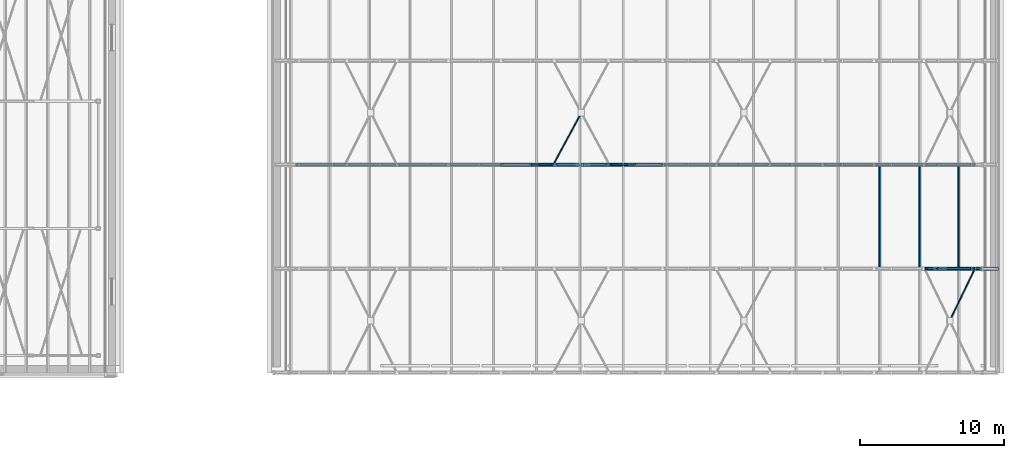
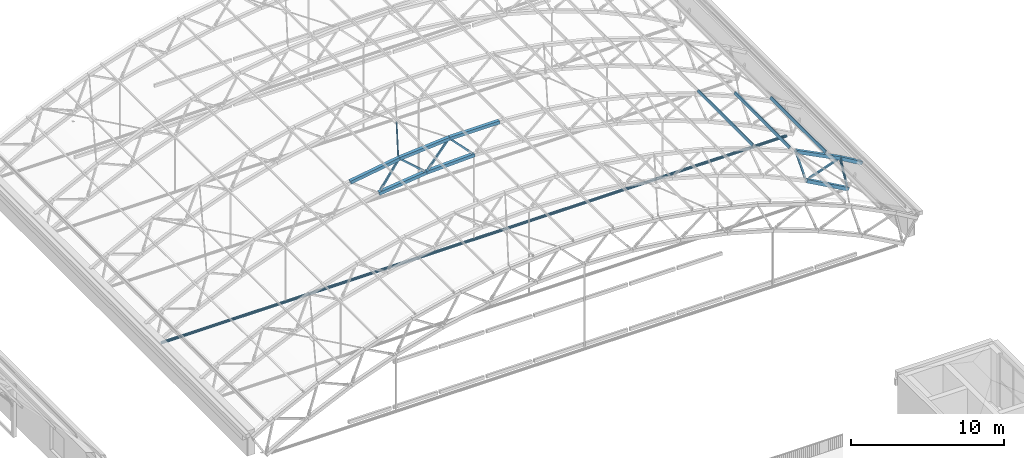
# One storey, part 54 of 127: 21 members.
"""IFC4 building model written with IfcOpenShell, lengths in metres."""

from ifc_helpers import new_model, si_unit, direction, frame, origin, origin_2d, place, context, subcontext, project, spatial, hollow_rectangle, hollow_circle, extrude, material, material_profile, profile_set, type_object, element, save


model = new_model("IFC4")

# Units and contexts
model_context = context("Model", 3, precision=1e-05, world=origin(), true_north=direction((0.0, 1.0)))
body_context = subcontext(model_context, "Body", "Model", "MODEL_VIEW")
ifc_project = project(units=[si_unit("LENGTHUNIT", "METRE"), si_unit("AREAUNIT", "SQUARE_METRE"), si_unit("VOLUMEUNIT", "CUBIC_METRE"), si_unit("PLANEANGLEUNIT", "RADIAN"), si_unit("MASSUNIT", "GRAM", prefix="KILO")], contexts=[model_context])

# Site, building, storey
site_placement = place(None, origin())
site = spatial("IfcSite", under=ifc_project, at=site_placement, CompositionType="ELEMENT")
building_placement = place(site_placement, origin())
building = spatial("IfcBuilding", under=site, at=building_placement, Name="Verrick Yard Athletic Hall", CompositionType="ELEMENT")
storey_placement = place(building_placement, frame((0.0, 0.0, 14.0)))
storey = spatial("IfcBuildingStorey", under=building, at=storey_placement, Name="L03", CompositionType="ELEMENT", Elevation=14.0)

# Members
ifc_material = material(Name="Structural steel HSS Class C 350W (CSA G40.20/G40.21)", Category="steel")
ifc_material_profile_1 = material_profile(ifc_material, hollow_rectangle(XDim=0.25390625, YDim=0.25390625, WallThickness=0.009521484375, at=origin_2d()), Name="HSS254x254x9.5")
ifc_profile_set_1 = profile_set([ifc_material_profile_1], Name="Structural steel HSS Class C 350W (CSA G40.20/G40.21)")
member_type_1 = type_object("IfcMemberType", Name="HB bottom chord HSS254x254x9.5", PredefinedType="CHORD", material=ifc_profile_set_1)
member_1_placement = place(storey_placement, frame((166.45654296875, 79.199951171875, 1.757080078125), z_axis=(0.872897627776, 0.0, -0.487903403783), x_axis=(0.0, 1.0, 0.0)))
element("IfcMember", 1, at=member_1_placement, inside=storey, type_object=member_type_1, Name="Truss TA2 bottom chord 14", PredefinedType="CHORD", context=body_context, shape_type="SweptSolid", body=[
    extrude(hollow_rectangle(XDim=0.25390625, YDim=0.25390625, WallThickness=0.009521484375, at=origin_2d()), origin(), (0.0, 0.0, 1.0), 3.601318359375),
])
member_2_placement = place(storey_placement, frame((138.42041015625, 86.39990234375, 6.193359375), z_axis=(0.993094882284, 0.0, 0.117313915545), x_axis=(0.0, 1.0, 0.0)))
element("IfcMember", 2, at=member_2_placement, inside=storey, type_object=member_type_1, Name="Truss TA3 bottom chord 6", PredefinedType="CHORD", context=body_context, shape_type="SweptSolid", body=[
    extrude(hollow_rectangle(XDim=0.25390625, YDim=0.25390625, WallThickness=0.009521484375, at=origin_2d()), origin(), (0.0, 0.0, 1.0), 3.59619140625),
])
member_3_placement = place(storey_placement, frame((142.001708984375, 86.39990234375, 6.615966796875), z_axis=(0.999229759959, 0.0, 0.039241391579), x_axis=(0.0, 1.0, 0.0)))
element("IfcMember", 3, at=member_3_placement, inside=storey, type_object=member_type_1, Name="Truss TA3 bottom chord 7", PredefinedType="CHORD", context=body_context, shape_type="SweptSolid", body=[
    extrude(hollow_rectangle(XDim=0.25390625, YDim=0.25390625, WallThickness=0.009521484375, at=origin_2d()), origin(), (0.0, 0.0, 1.0), 3.595947265625),
])
ifc_material_profile_2 = material_profile(ifc_material, hollow_rectangle(XDim=0.1015625, YDim=0.203125, WallThickness=0.009521484375, at=origin_2d()), Name="HSS203x102x9.5")
ifc_profile_set_2 = profile_set([ifc_material_profile_2], Name="Structural steel HSS Class C 350W (CSA G40.20/G40.21)")
member_type_2 = type_object("IfcMemberType", Name="HB purlin HSS203x102x9.5", PredefinedType="PURLIN", material=ifc_profile_set_2)
for number, where, z_axis, x_axis, name in (
    (4, (162.48486328125, 79.199951171875, 5.92431640625), (0.0, 1.0, 0.0), (-0.924122791552, 0.0, 0.382095624331), "HB-PU-A-2-15"),
    (5, (165.25732421875, 79.199951171875, 4.778076171875), (0.0, 1.0, 0.0), (-0.924122791552, 0.0, 0.382095624331), "HB-PU-A-2-16"),
    (6, (167.965087890625, 79.199951171875, 3.44873046875), (0.0, 1.0, 0.0), (-0.891352741199, 0.0, 0.453310369126), "HB-PU-A-2-17"),
):
    element("IfcMember", number, at=place(storey_placement, frame(where, z_axis=z_axis, x_axis=x_axis)), inside=storey, type_object=member_type_2, Name=name, PredefinedType="PURLIN", context=body_context, shape_type="SweptSolid", body=[
        extrude(hollow_rectangle(XDim=0.1015625, YDim=0.203125, WallThickness=0.009521484375, at=origin_2d()), origin(), (0.0, 0.0, 1.0), 7.199951171875),
    ])
ifc_material_profile_3 = material_profile(ifc_material, hollow_circle(Radius=0.05712890625, WallThickness=0.00634765625, at=origin_2d()), Name="HSS114x6.4")
ifc_profile_set_3 = profile_set([ifc_material_profile_3], Name="Structural steel HSS Class C 350W (CSA G40.20/G40.21)")
member_type_3 = type_object("IfcMemberType", Name="HB roof brace HSS114x6.4", PredefinedType="BRACE", material=ifc_profile_set_3)
for number, where, z_axis, x_axis, name in (
    (7, (167.386962890625, 75.69287109375, 3.486328125), (0.424607122794, 0.879253008538, -0.215923454607), (-0.900495431236, 0.434865471524, 0.0), "HB-BR-A-1-12b2"),
    (8, (139.96728515625, 86.527099609375, 8.425537109375), (0.474853047314, 0.879275169194, 0.037279488936), (-0.87988679764, 0.475183357599, 0.0), "HB-BR-A-3-5b1"),
):
    element("IfcMember", number, at=place(storey_placement, frame(where, z_axis=z_axis, x_axis=x_axis)), inside=storey, type_object=member_type_3, Name=name, PredefinedType="BRACE", context=body_context, shape_type="SweptSolid", body=[
        extrude(hollow_circle(Radius=0.05712890625, WallThickness=0.00634765625, at=origin_2d()), origin(), (0.0, 0.0, 1.0), 3.84423828125),
    ])
ifc_material_profile_4 = material_profile(ifc_material, hollow_circle(Radius=0.109619140625, WallThickness=0.0126953125, at=origin_2d()), Name="HSS219x13")
ifc_profile_set_4 = profile_set([ifc_material_profile_4], Name="Structural steel HSS Class C 350W (CSA G40.20/G40.21)")
member_type_4 = type_object("IfcMemberType", Name="HB tie rod HSS219x13", PredefinedType="MEMBER", material=ifc_profile_set_4)
member_4_placement = place(storey_placement, frame((122.056396484375, 86.39990234375, 0.0), z_axis=(1.0, 0.0, 0.0), x_axis=(0.0, 1.0, 0.0)))
element("IfcMember", 9, at=member_4_placement, inside=storey, type_object=member_type_4, Name="Truss TA3 tie 1", PredefinedType="MEMBER", context=body_context, shape_type="SweptSolid", body=[
    extrude(hollow_circle(Radius=0.109619140625, WallThickness=0.0126953125, at=origin_2d()), origin(), (0.0, 0.0, 1.0), 47.08740234375),
])
ifc_material_profile_5 = material_profile(ifc_material, hollow_rectangle(XDim=0.25390625, YDim=0.25390625, WallThickness=0.009521484375, at=origin_2d()), Name="HSS254x254x9.5")
ifc_profile_set_5 = profile_set([ifc_material_profile_5], Name="Structural steel HSS Class C 350W (CSA G40.20/G40.21)")
member_type_5 = type_object("IfcMemberType", Name="HB top chord HSS254x254x9.5", PredefinedType="CHORD", material=ifc_profile_set_5)
member_5_placement = place(storey_placement, frame((165.669677734375, 79.199951171875, 4.35986328125), z_axis=(0.891336584454, 0.0, -0.453342137037), x_axis=(0.0, 1.0, 0.0)))
element("IfcMember", 10, at=member_5_placement, inside=storey, type_object=member_type_5, Name="Truss TA2 top chord 14", PredefinedType="CHORD", context=body_context, shape_type="SweptSolid", body=[
    extrude(hollow_rectangle(XDim=0.25390625, YDim=0.25390625, WallThickness=0.009521484375, at=origin_2d()), origin(), (0.0, 0.0, 1.0), 3.754150390625),
])
member_6_placement = place(storey_placement, frame((169.0224609375, 79.199951171875, 2.654541015625), z_axis=(0.863174775639, 0.0, -0.504905245269), x_axis=(0.0, 1.0, 0.0)))
element("IfcMember", 11, at=member_6_placement, inside=storey, type_object=member_type_5, Name="Truss TA2 top chord 15", PredefinedType="CHORD", context=body_context, shape_type="SweptSolid", body=[
    extrude(hollow_rectangle(XDim=0.25390625, YDim=0.25390625, WallThickness=0.009521484375, at=origin_2d()), origin(), (0.0, 0.0, 1.0), 1.878173828125),
])
for number, where, z_axis, x_axis, name in (
    (12, (136.255615234375, 86.39990234375, 7.838623046875), (0.987726014692, 0.0, 0.156196414495), (0.0, 1.0, 0.0), "Truss TA3 top chord 6"),
    (13, (139.97216796875, 86.39990234375, 8.426025390625), (0.996928028323, 0.0, 0.078323089468), (0.0, 1.0, 0.0), "Truss TA3 top chord 7"),
):
    element("IfcMember", number, at=place(storey_placement, frame(where, z_axis=z_axis, x_axis=x_axis)), inside=storey, type_object=member_type_5, Name=name, PredefinedType="CHORD", context=body_context, shape_type="SweptSolid", body=[
        extrude(hollow_rectangle(XDim=0.25390625, YDim=0.25390625, WallThickness=0.009521484375, at=origin_2d()), origin(), (0.0, 0.0, 1.0), 3.7529296875),
    ])
member_7_placement = place(storey_placement, frame((143.7236328125, 86.39990234375, 8.72021484375), z_axis=(1.0, 0.0, 0.0), x_axis=(0.0, 1.0, 0.0)))
element("IfcMember", 14, at=member_7_placement, inside=storey, type_object=member_type_5, Name="Truss TA3 top chord 8", PredefinedType="CHORD", context=body_context, shape_type="SweptSolid", body=[
    extrude(hollow_rectangle(XDim=0.25390625, YDim=0.25390625, WallThickness=0.009521484375, at=origin_2d()), origin(), (0.0, 0.0, 1.0), 3.752685546875),
])
ifc_material_profile_6 = material_profile(ifc_material, hollow_rectangle(XDim=0.126953125, YDim=0.126953125, WallThickness=0.009521484375, at=origin_2d()), Name="HSS127x127x9.5")
ifc_profile_set_6 = profile_set([ifc_material_profile_6], Name="Structural steel HSS Class C 350W (CSA G40.20/G40.21)")
member_type_6 = type_object("IfcMemberType", Name="HB truss web HSS127x127x9.5", PredefinedType="BRACE", material=ifc_profile_set_6)
for number, where, z_axis, x_axis, name in (
    (15, (165.733642578125, 79.199951171875, 4.135498046875), (0.289543214815, 0.0, -0.957164942293), (0.0, 1.0, 0.0), "Truss TA2 web 26"),
    (16, (166.68701171875, 79.199951171875, 1.841552734375), (0.944026930686, 0.0, 0.329868389118), (0.0, 1.0, 0.0), "Truss TA2 web 27"),
):
    element("IfcMember", number, at=place(storey_placement, frame(where, z_axis=z_axis, x_axis=x_axis)), inside=storey, type_object=member_type_6, Name=name, PredefinedType="BRACE", context=body_context, shape_type="SweptSolid", body=[
        extrude(hollow_rectangle(XDim=0.126953125, YDim=0.126953125, WallThickness=0.009521484375, at=origin_2d()), origin(), (0.0, 0.0, 1.0), 2.233642578125),
    ])
member_8_placement = place(storey_placement, frame((169.068603515625, 79.199951171875, 2.430419921875), z_axis=(0.213603528569, 0.0, -0.976920433087), x_axis=(0.0, 1.0, 0.0)))
element("IfcMember", 17, at=member_8_placement, inside=storey, type_object=member_type_6, Name="Truss end diagonal TA2-28", PredefinedType="BRACE", context=body_context, shape_type="SweptSolid", body=[
    extrude(hollow_rectangle(XDim=0.126953125, YDim=0.126953125, WallThickness=0.009521484375, at=origin_2d()), origin(), (0.0, 0.0, 1.0), 2.261962890625),
])
for number, where, z_axis, x_axis, name in (
    (18, (138.5576171875, 86.39990234375, 6.39697265625), (0.570664111571, 0.0, 0.821183579819), (0.0, 1.0, 0.0), "Truss TA3 web 11"),
    (19, (140.14404296875, 86.39990234375, 8.26806640625), (0.746340924984, 0.0, -0.665563838932), (0.0, 1.0, 0.0), "Truss TA3 web 12"),
    (20, (142.154296875, 86.39990234375, 6.808349609375), (0.633202076169, 0.0, 0.773986518445), (0.0, 1.0, 0.0), "Truss TA3 web 13"),
    (21, (143.88232421875, 86.39990234375, 8.54931640625), (0.691974203846, 0.0, -0.721922226568), (0.0, 1.0, 0.0), "Truss TA3 web 14"),
):
    element("IfcMember", number, at=place(storey_placement, frame(where, z_axis=z_axis, x_axis=x_axis)), inside=storey, type_object=member_type_6, Name=name, PredefinedType="BRACE", context=body_context, shape_type="SweptSolid", body=[
        extrude(hollow_rectangle(XDim=0.126953125, YDim=0.126953125, WallThickness=0.009521484375, at=origin_2d()), origin(), (0.0, 0.0, 1.0), 2.233642578125),
    ])

save(model, "model.ifc")
